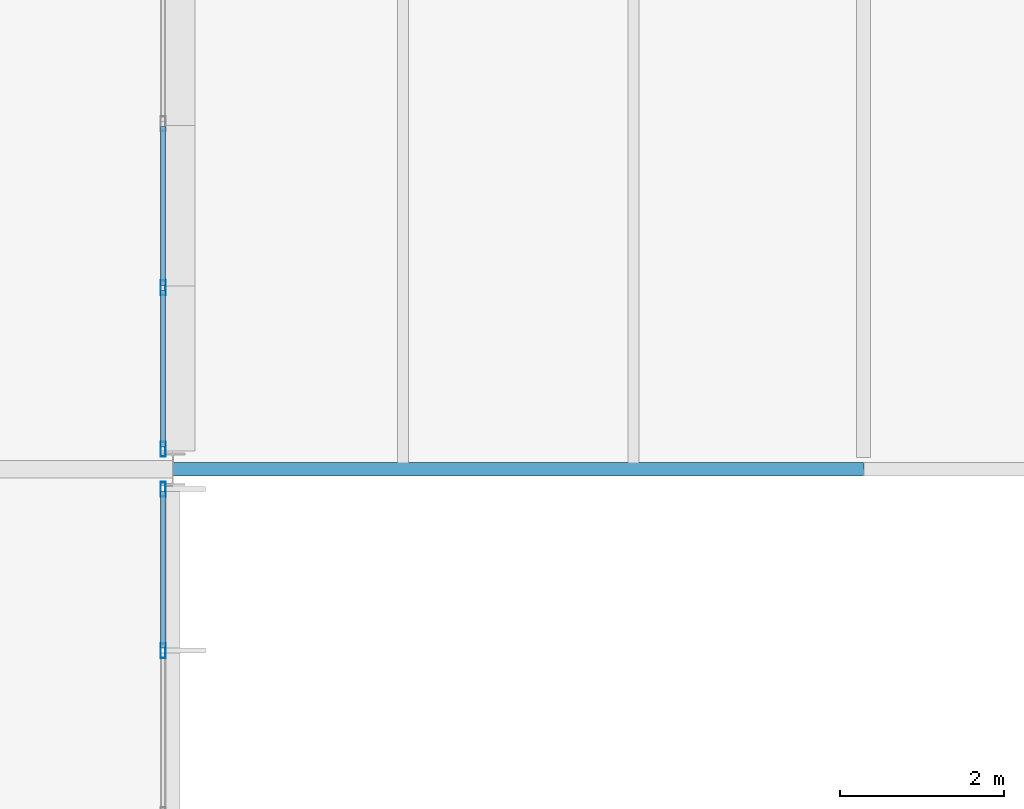
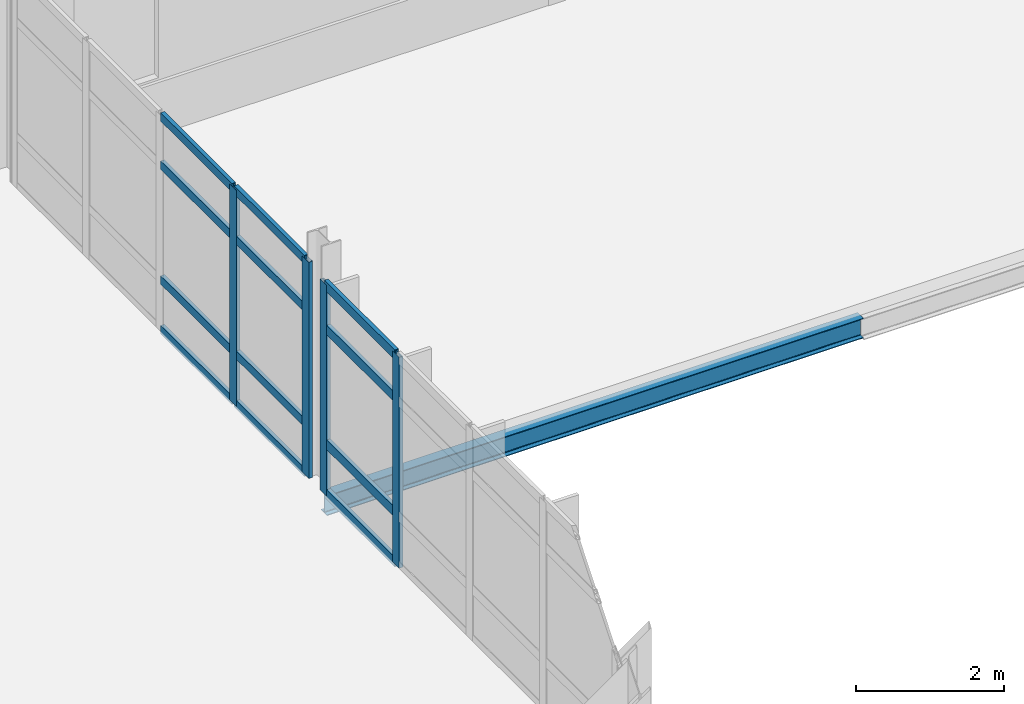
# One storey, part 40 of 151: 16 members, 1 beam, 2 elements without a shape of their own.
"""IFC4 building model written with IfcOpenShell, lengths in metres."""

import ifcopenshell
import ifcopenshell.guid

model = None  # the IFC model being written
_history = None  # IfcOwnerHistory: only IFC2X3 demands one
_inside = {}  # id of a spatial element -> (the spatial element, [elements in it])
_under = {}  # id of a project, library or spatial element -> (it, [spatial elements below it])
_declared = {}  # id of a project -> (the project, [libraries it declares])
_typed = {}  # id of a type object -> (the type object, [elements of that type])
_made_of = {}  # id of a material, layer set ... -> (it, [elements and type objects made of it])


def new_model(schema):
    """Start an empty IFC model of exactly this schema.

    Asked for "IFC4X3", IfcOpenShell would pick the latest addendum, in which some entities
    have other attributes; the version numbers below select the first issue.
    IFC2X3 requires an IfcOwnerHistory on every rooted entity: one is made here for all.
    """
    global model, _history
    if schema == "IFC4X3":
        model = ifcopenshell.file(schema_version=(4, 3, 0, 0))
    else:
        model = ifcopenshell.file(schema=schema)
    _inside.clear()
    _under.clear()
    _declared.clear()
    _typed.clear()
    _made_of.clear()
    _history = None
    if model.schema == "IFC2X3":
        org = make("IfcOrganization", Name="unknown")
        user = make(
            "IfcPersonAndOrganization",
            ThePerson=make("IfcPerson", FamilyName="unknown"),
            TheOrganization=org,
        )
        app = make(
            "IfcApplication",
            ApplicationDeveloper=org,
            Version="unknown",
            ApplicationFullName="unknown",
            ApplicationIdentifier="unknown",
        )
        _history = make(
            "IfcOwnerHistory",
            OwningUser=user,
            OwningApplication=app,
            ChangeAction="ADDED",
            CreationDate=0,
        )
    return model


def make(cls, **values):
    """One entity of the class cls with the attributes given. An attribute that is None is left unset."""
    return model.create_entity(
        cls, **{name: value for name, value in values.items() if value is not None}
    )


def rooted(cls, **values):
    """An entity with a GlobalId (a new one), such as an element, a storey or a relation."""
    return make(cls, GlobalId=ifcopenshell.guid.new(), OwnerHistory=_history, **values)


def si_unit(unit_type, name, prefix=None):
    """IfcSIUnit, for example si_unit("LENGTHUNIT", "METRE", prefix="MILLI")."""
    return make("IfcSIUnit", UnitType=unit_type, Prefix=prefix, Name=name)


def assignment(units):
    """IfcUnitAssignment: the units of a project."""
    return None if units is None else make("IfcUnitAssignment", Units=units)


def point(xyz):
    """IfcCartesianPoint."""
    return None if xyz is None else make("IfcCartesianPoint", Coordinates=xyz)


def direction(xyz):
    """IfcDirection."""
    return None if xyz is None else make("IfcDirection", DirectionRatios=xyz)


def frame(location, z_axis=None, x_axis=None):
    """IfcAxis2Placement3D, a coordinate frame: its origin and axes. An axis left out is left unset."""
    return make(
        "IfcAxis2Placement3D",
        Location=point(location),
        Axis=direction(z_axis),
        RefDirection=direction(x_axis),
    )


def frame_2d(location, x_axis=None):
    """IfcAxis2Placement2D, a coordinate frame in the plane: its origin and x axis."""
    return make(
        "IfcAxis2Placement2D", Location=point(location), RefDirection=direction(x_axis)
    )


def origin():
    """The frame at (0, 0, 0) with its axes left unset."""
    return frame((0.0, 0.0, 0.0))


def origin_2d():
    """The frame at (0, 0) in the plane with its x axis left unset."""
    return frame_2d((0.0, 0.0))


def place(relative_to, where):
    """IfcLocalPlacement: puts the frame where relative to a parent placement (None: the world)."""
    return make(
        "IfcLocalPlacement", PlacementRelTo=relative_to, RelativePlacement=where
    )


def context(
    kind, dimensions, precision=None, world=None, true_north=None, identifier=None
):
    """IfcGeometricRepresentationContext, for example the 3D "Model" context."""
    return make(
        "IfcGeometricRepresentationContext",
        ContextIdentifier=identifier,
        ContextType=kind,
        CoordinateSpaceDimension=dimensions,
        Precision=precision,
        WorldCoordinateSystem=world,
        TrueNorth=true_north,
    )


def subcontext(parent, identifier, kind, view, scale=None):
    """IfcGeometricRepresentationSubContext, for example "Body" below "Model"."""
    return make(
        "IfcGeometricRepresentationSubContext",
        ContextIdentifier=identifier,
        ContextType=kind,
        ParentContext=parent,
        TargetScale=scale,
        TargetView=view,
    )


def project(units=None, contexts=None):
    """IfcProject with its units and contexts."""
    return rooted(
        "IfcProject",
        Name="project",
        RepresentationContexts=contexts,
        UnitsInContext=assignment(units),
    )


def spatial(cls, under=None, at=None, **own):
    """A site, building, storey or space (cls), placed at a placement, below another one or the project."""
    s = rooted(cls, ObjectPlacement=at, **own)
    if under is not None:
        _under.setdefault(under.id(), (under, []))[1].append(s)
    return s


def profile(cls, at=None, kind="AREA", **sizes):
    """A parametric profile (cls). Its sizes go by their IFC names, for example OverallWidth=200.0."""
    return make(cls, ProfileType=kind, Position=at, **sizes)


def hollow_rectangle(**sizes):
    """IfcRectangleHollowProfileDef."""
    return profile("IfcRectangleHollowProfileDef", **sizes)


def i_section(**sizes):
    """IfcIShapeProfileDef."""
    return profile("IfcIShapeProfileDef", **sizes)


def extrude(swept, where, along, depth):
    """IfcExtrudedAreaSolid: the profile swept, set in the frame where, extruded along a direction by depth."""
    return make(
        "IfcExtrudedAreaSolid",
        SweptArea=swept,
        Position=where,
        ExtrudedDirection=direction(along),
        Depth=depth,
    )


def shape(context_of_items, identifier, shape_type, items):
    """IfcShapeRepresentation: the items that make up one representation, for example the "Body"."""
    return make(
        "IfcShapeRepresentation",
        ContextOfItems=context_of_items,
        RepresentationIdentifier=identifier,
        RepresentationType=shape_type,
        Items=items,
    )


def material(Name=None, Category=None):
    """IfcMaterial."""
    return make("IfcMaterial", Name=Name, Category=Category)


def material_profile(
    of_material, cross_section, Name=None, Category=None, Priority=None
):
    """IfcMaterialProfile: a cross section and its material."""
    return make(
        "IfcMaterialProfile",
        Name=Name,
        Material=of_material,
        Profile=cross_section,
        Priority=Priority,
        Category=Category,
    )


def profile_set(profiles, Name=None, composite=None):
    """IfcMaterialProfileSet."""
    return make(
        "IfcMaterialProfileSet",
        Name=Name,
        MaterialProfiles=profiles,
        CompositeProfile=composite,
    )


def made_of(thing, what):
    """Note that an element or type object is made of a material, layer set ...; save() writes the relation."""
    if what is not None:
        _made_of.setdefault(what.id(), (what, []))[1].append(thing)
    return thing


def type_object(cls, material=None, **own):
    """A type object (cls), such as IfcWallType, which elements share."""
    return made_of(rooted(cls, **own), material)


def element(
    cls,
    number,
    at=None,
    inside=None,
    cuts=None,
    type_object=None,
    material=None,
    context=None,
    identifier="Body",
    shape_type=None,
    held_by="IfcProductDefinitionShape",
    body=None,
    shapes=None,
    **own,
):
    """One element of the class cls, such as IfcWall. Its Tag is "e" and its number.

    at: its placement. inside: the storey or other place that contains it. cuts: it is an
    opening in that element (IfcRelVoidsElement). A single representation is given by context,
    identifier, shape_type and body (its items); several are given by shapes. held_by: the class
    of the entity that holds the representations. save() writes the other relations.
    """
    e = rooted(cls, Tag="e%d" % number, ObjectPlacement=at, **own)
    if body is not None:
        shapes = [shape(context, identifier, shape_type, body)]
    if shapes is not None:
        e.Representation = make(held_by, Representations=shapes)
    if inside is not None:
        _inside.setdefault(inside.id(), (inside, []))[1].append(e)
    if cuts is not None:
        rooted(
            "IfcRelVoidsElement", RelatingBuildingElement=cuts, RelatedOpeningElement=e
        )
    if type_object is not None:
        _typed.setdefault(type_object.id(), (type_object, []))[1].append(e)
    return made_of(e, material)


def aggregate(whole, parts):
    """IfcRelAggregates: a whole, such as a stair, and the parts it consists of."""
    return rooted("IfcRelAggregates", RelatingObject=whole, RelatedObjects=parts)


def save(model, path):
    """Write the relations noted so far, then the file.

    IfcRelAggregates (storeys below a building ...), IfcRelContainedInSpatialStructure (elements
    in a storey), IfcRelDefinesByType, IfcRelAssociatesMaterial and IfcRelDeclares: one each for
    every whole, place, type object, material and project.
    """
    for whole, parts in _under.values():
        aggregate(whole, parts)
    for where, things in _inside.values():
        rooted(
            "IfcRelContainedInSpatialStructure",
            RelatedElements=things,
            RelatingStructure=where,
        )
    for kind, things in _typed.values():
        rooted("IfcRelDefinesByType", RelatedObjects=things, RelatingType=kind)
    for what, things in _made_of.values():
        rooted("IfcRelAssociatesMaterial", RelatedObjects=things, RelatingMaterial=what)
    for by, libraries in _declared.values():
        rooted("IfcRelDeclares", RelatingContext=by, RelatedDefinitions=libraries)
    model.write(path)


model = new_model("IFC4")

# Units and contexts
model_context = context("Model", 3, precision=1e-05, world=origin(), true_north=direction((0.0, 1.0)))
body_context = subcontext(model_context, "Body", "Model", "MODEL_VIEW")
ifc_project = project(units=[si_unit("LENGTHUNIT", "METRE"), si_unit("AREAUNIT", "SQUARE_METRE"), si_unit("VOLUMEUNIT", "CUBIC_METRE"), si_unit("PLANEANGLEUNIT", "RADIAN"), si_unit("MASSUNIT", "GRAM", prefix="KILO")], contexts=[model_context])

# Site, building, storey
site_placement = place(None, origin())
site = spatial("IfcSite", under=ifc_project, at=site_placement, CompositionType="ELEMENT")
building_placement = place(site_placement, origin())
building = spatial("IfcBuilding", under=site, at=building_placement, Name="Mersafa Astral City Hall", CompositionType="ELEMENT")
storey_placement = place(building_placement, frame((0.0, 0.0, 9.89990234375)))
storey = spatial("IfcBuildingStorey", under=building, at=storey_placement, Name="L02", CompositionType="ELEMENT", Elevation=9.89990234375)

# Curtain wall, members
ifc_material_1 = material(Name="Anodised bronze aluminium framing", Category="aluminium")
curtain_wall_type_1 = type_object("IfcCurtainWallType", Name="ENV-CW-3", PredefinedType="USERDEFINED", material=ifc_material_1)
curtain_wall_1_placement = place(storey_placement, origin())
curtain_wall_1 = element("IfcCurtainWall", 1, at=curtain_wall_1_placement, inside=storey, type_object=curtain_wall_type_1, Name="L02 Unitised solar curtain wall 134", ObjectType="UNITISED CURTAIN WALL", PredefinedType="USERDEFINED")
ifc_material_profile_1 = material_profile(ifc_material_1, hollow_rectangle(XDim=0.06005859375, YDim=0.179931640625, WallThickness=0.00390625, at=origin_2d()), Name="RHS 60x180x4")
ifc_profile_set_1 = profile_set([ifc_material_profile_1], Name="Anodised bronze aluminium framing")
member_type_1 = type_object("IfcMemberType", Name="ENV-CW-MUL-1", PredefinedType="MULLION", material=ifc_profile_set_1)
member_1_placement = place(storey_placement, frame((25.080078125, 81.7939453125, -0.001953125), z_axis=(0.0, 0.0, 1.0), x_axis=(-1.0, 0.0, 0.0)))
member_1 = element("IfcMember", 2, at=member_1_placement, type_object=member_type_1, Name="CW-3 mullion 4", PredefinedType="MULLION", context=body_context, shape_type="SweptSolid", body=[
    extrude(hollow_rectangle(XDim=0.06005859375, YDim=0.179931640625, WallThickness=0.00390625, at=origin_2d()), origin(), (0.0, 0.0, 1.0), 3.489013671875),
])
member_2_placement = place(storey_placement, frame((25.080078125, 83.758056640625, -0.001953125), z_axis=(0.0, 0.0, 1.0), x_axis=(-1.0, 0.0, 0.0)))
member_2 = element("IfcMember", 3, at=member_2_placement, type_object=member_type_1, Name="CW-3 mullion 5", PredefinedType="MULLION", context=body_context, shape_type="SweptSolid", body=[
    extrude(hollow_rectangle(XDim=0.06005859375, YDim=0.179931640625, WallThickness=0.00390625, at=origin_2d()), origin(), (0.0, 0.0, 1.0), 3.489013671875),
])

curtain_wall_type_2 = type_object("IfcCurtainWallType", Name="ENV-CW-4", PredefinedType="USERDEFINED", material=ifc_material_1)
curtain_wall_2_placement = place(storey_placement, origin())
curtain_wall_2 = element("IfcCurtainWall", 4, at=curtain_wall_2_placement, inside=storey, type_object=curtain_wall_type_2, Name="L02 Unitised solar curtain wall 135", ObjectType="UNITISED CURTAIN WALL", PredefinedType="USERDEFINED")
member_3_placement = place(storey_placement, frame((25.080078125, 84.241943359375, -0.001953125), z_axis=(0.0, 0.0, 1.0), x_axis=(-1.0, 0.0, 0.0)))
member_3 = element("IfcMember", 5, at=member_3_placement, type_object=member_type_1, Name="CW-4 mullion 1", PredefinedType="MULLION", context=body_context, shape_type="SweptSolid", body=[
    extrude(hollow_rectangle(XDim=0.06005859375, YDim=0.179931640625, WallThickness=0.00390625, at=origin_2d()), origin(), (0.0, 0.0, 1.0), 3.5791015625),
])
member_4_placement = place(storey_placement, frame((25.080078125, 86.2060546875, -0.001953125), z_axis=(0.0, 0.0, 1.0), x_axis=(-1.0, 0.0, 0.0)))
member_4 = element("IfcMember", 6, at=member_4_placement, type_object=member_type_1, Name="CW-4 mullion 2", PredefinedType="MULLION", context=body_context, shape_type="SweptSolid", body=[
    extrude(hollow_rectangle(XDim=0.06005859375, YDim=0.179931640625, WallThickness=0.00390625, at=origin_2d()), origin(), (0.0, 0.0, 1.0), 3.5791015625),
])
ifc_material_profile_2 = material_profile(ifc_material_1, hollow_rectangle(XDim=0.06005859375, YDim=0.139892578125, WallThickness=0.00390625, at=origin_2d()), Name="RHS 60x140x4")
ifc_profile_set_2 = profile_set([ifc_material_profile_2], Name="Anodised bronze aluminium framing")
member_type_2 = type_object("IfcMemberType", Name="ENV-CW-TRN-1", PredefinedType="USERDEFINED", material=ifc_profile_set_2)
member_5_placement = place(storey_placement, frame((25.080078125, 84.27197265625, 0.028076171875), z_axis=(0.0, 1.0, 0.0), x_axis=(-1.0, 0.0, 0.0)))
member_5 = element("IfcMember", 7, at=member_5_placement, type_object=member_type_2, Name="CW-4 transom 1.1", ObjectType="TRANSOM", PredefinedType="USERDEFINED", context=body_context, shape_type="SweptSolid", body=[
    extrude(hollow_rectangle(XDim=0.06005859375, YDim=0.139892578125, WallThickness=0.00390625, at=origin_2d()), origin(), (0.0, 0.0, 1.0), 1.904052734375),
])
member_6_placement = place(storey_placement, frame((25.080078125, 84.27197265625, 0.85009765625), z_axis=(0.0, 1.0, 0.0), x_axis=(-1.0, 0.0, 0.0)))
member_6 = element("IfcMember", 8, at=member_6_placement, type_object=member_type_2, Name="CW-4 transom 1.2", ObjectType="TRANSOM", PredefinedType="USERDEFINED", context=body_context, shape_type="SweptSolid", body=[
    extrude(hollow_rectangle(XDim=0.06005859375, YDim=0.139892578125, WallThickness=0.00390625, at=origin_2d()), origin(), (0.0, 0.0, 1.0), 1.904052734375),
])
member_7_placement = place(storey_placement, frame((25.080078125, 84.27197265625, 2.75), z_axis=(0.0, 1.0, 0.0), x_axis=(-1.0, 0.0, 0.0)))
member_7 = element("IfcMember", 9, at=member_7_placement, type_object=member_type_2, Name="CW-4 transom 1.3", ObjectType="TRANSOM", PredefinedType="USERDEFINED", context=body_context, shape_type="SweptSolid", body=[
    extrude(hollow_rectangle(XDim=0.06005859375, YDim=0.139892578125, WallThickness=0.00390625, at=origin_2d()), origin(), (0.0, 0.0, 1.0), 1.904052734375),
])
member_8_placement = place(storey_placement, frame((25.080078125, 84.27197265625, 3.547119140625), z_axis=(0.0, 1.0, 0.0), x_axis=(-1.0, 0.0, 0.0)))
member_8 = element("IfcMember", 10, at=member_8_placement, type_object=member_type_2, Name="CW-4 transom 1.4", ObjectType="TRANSOM", PredefinedType="USERDEFINED", context=body_context, shape_type="SweptSolid", body=[
    extrude(hollow_rectangle(XDim=0.06005859375, YDim=0.139892578125, WallThickness=0.00390625, at=origin_2d()), origin(), (0.0, 0.0, 1.0), 1.904052734375),
])
member_9_placement = place(storey_placement, frame((25.080078125, 86.236083984375, 0.028076171875), z_axis=(0.0, 1.0, 0.0), x_axis=(-1.0, 0.0, 0.0)))
member_9 = element("IfcMember", 11, at=member_9_placement, type_object=member_type_2, Name="CW-4 transom 2.1", ObjectType="TRANSOM", PredefinedType="USERDEFINED", context=body_context, shape_type="SweptSolid", body=[
    extrude(hollow_rectangle(XDim=0.06005859375, YDim=0.139892578125, WallThickness=0.00390625, at=origin_2d()), origin(), (0.0, 0.0, 1.0), 1.933837890625),
])
member_10_placement = place(storey_placement, frame((25.080078125, 86.236083984375, 0.85009765625), z_axis=(0.0, 1.0, 0.0), x_axis=(-1.0, 0.0, 0.0)))
member_10 = element("IfcMember", 12, at=member_10_placement, type_object=member_type_2, Name="CW-4 transom 2.2", ObjectType="TRANSOM", PredefinedType="USERDEFINED", context=body_context, shape_type="SweptSolid", body=[
    extrude(hollow_rectangle(XDim=0.06005859375, YDim=0.139892578125, WallThickness=0.00390625, at=origin_2d()), origin(), (0.0, 0.0, 1.0), 1.933837890625),
])
member_11_placement = place(storey_placement, frame((25.080078125, 86.236083984375, 2.75), z_axis=(0.0, 1.0, 0.0), x_axis=(-1.0, 0.0, 0.0)))
member_11 = element("IfcMember", 13, at=member_11_placement, type_object=member_type_2, Name="CW-4 transom 2.3", ObjectType="TRANSOM", PredefinedType="USERDEFINED", context=body_context, shape_type="SweptSolid", body=[
    extrude(hollow_rectangle(XDim=0.06005859375, YDim=0.139892578125, WallThickness=0.00390625, at=origin_2d()), origin(), (0.0, 0.0, 1.0), 1.933837890625),
])
member_12_placement = place(storey_placement, frame((25.080078125, 86.236083984375, 3.547119140625), z_axis=(0.0, 1.0, 0.0), x_axis=(-1.0, 0.0, 0.0)))
member_12 = element("IfcMember", 14, at=member_12_placement, type_object=member_type_2, Name="CW-4 transom 2.4", ObjectType="TRANSOM", PredefinedType="USERDEFINED", context=body_context, shape_type="SweptSolid", body=[
    extrude(hollow_rectangle(XDim=0.06005859375, YDim=0.139892578125, WallThickness=0.00390625, at=origin_2d()), origin(), (0.0, 0.0, 1.0), 1.933837890625),
])
aggregate(curtain_wall_2, [member_3, member_4, member_5, member_6, member_7, member_8, member_9, member_10, member_11, member_12])

# Member
ifc_material_profile_3 = material_profile(ifc_material_1, hollow_rectangle(XDim=0.06005859375, YDim=0.159912109375, WallThickness=0.00390625, at=origin_2d()), Name="RHS 60x160x4")
ifc_profile_set_3 = profile_set([ifc_material_profile_3], Name="Anodised bronze aluminium framing")
member_type_3 = type_object("IfcMemberType", Name="ENV-CW-TRN-2", PredefinedType="USERDEFINED", material=ifc_profile_set_3)
member_13_placement = place(storey_placement, frame((25.080078125, 81.823974609375, 0.028076171875), z_axis=(0.0, 1.0, 0.0), x_axis=(-1.0, 0.0, 0.0)))
member_13 = element("IfcMember", 15, at=member_13_placement, type_object=member_type_3, Name="CW-3 transom 4.1", ObjectType="TRANSOM", PredefinedType="USERDEFINED", context=body_context, shape_type="SweptSolid", body=[
    extrude(hollow_rectangle(XDim=0.06005859375, YDim=0.159912109375, WallThickness=0.00390625, at=origin_2d()), origin(), (0.0, 0.0, 1.0), 1.904052734375),
])

member_14_placement = place(storey_placement, frame((25.080078125, 81.823974609375, 0.85009765625), z_axis=(0.0, 1.0, 0.0), x_axis=(-1.0, 0.0, 0.0)))
member_14 = element("IfcMember", 16, at=member_14_placement, type_object=member_type_3, Name="CW-3 transom 4.2", ObjectType="TRANSOM", PredefinedType="USERDEFINED", context=body_context, shape_type="SweptSolid", body=[
    extrude(hollow_rectangle(XDim=0.06005859375, YDim=0.159912109375, WallThickness=0.00390625, at=origin_2d()), origin(), (0.0, 0.0, 1.0), 1.904052734375),
])

member_15_placement = place(storey_placement, frame((25.080078125, 81.823974609375, 2.75), z_axis=(0.0, 1.0, 0.0), x_axis=(-1.0, 0.0, 0.0)))
member_15 = element("IfcMember", 17, at=member_15_placement, type_object=member_type_3, Name="CW-3 transom 4.3", ObjectType="TRANSOM", PredefinedType="USERDEFINED", context=body_context, shape_type="SweptSolid", body=[
    extrude(hollow_rectangle(XDim=0.06005859375, YDim=0.159912109375, WallThickness=0.00390625, at=origin_2d()), origin(), (0.0, 0.0, 1.0), 1.904052734375),
])

member_16_placement = place(storey_placement, frame((25.080078125, 81.823974609375, 3.45703125), z_axis=(0.0, 1.0, 0.0), x_axis=(-1.0, 0.0, 0.0)))
member_16 = element("IfcMember", 18, at=member_16_placement, type_object=member_type_3, Name="CW-3 transom 4.4", ObjectType="TRANSOM", PredefinedType="USERDEFINED", context=body_context, shape_type="SweptSolid", body=[
    extrude(hollow_rectangle(XDim=0.06005859375, YDim=0.159912109375, WallThickness=0.00390625, at=origin_2d()), origin(), (0.0, 0.0, 1.0), 1.904052734375),
])

aggregate(curtain_wall_1, [member_1, member_2, member_13, member_14, member_15, member_16])

# Beam
ifc_material_2 = material(Name="Steel S355", Category="steel")
ifc_material_profile_4 = material_profile(ifc_material_2, i_section(OverallWidth=0.159912109375, OverallDepth=0.330078125, WebThickness=0.007568359375, FlangeThickness=0.011474609375, FilletRadius=0.01806640625, at=origin_2d()), Name="IPE 330")
ifc_profile_set_4 = profile_set([ifc_material_profile_4], Name="Steel S355")
beam_type = type_object("IfcBeamType", Name="STR-BM-SPANDREL-IPE330", PredefinedType="SPANDREL", material=ifc_profile_set_4)
beam_placement = place(storey_placement, frame((25.202880859375, 84.0, -0.364990234375), z_axis=(1.0, 0.0, 0.0), x_axis=(0.0, 1.0, 0.0)))
element("IfcBeam", 19, at=beam_placement, inside=storey, type_object=beam_type, Name="L02 Primary girder X 3-10", PredefinedType="SPANDREL", context=body_context, shape_type="SweptSolid", body=[
    extrude(i_section(OverallWidth=0.159912109375, OverallDepth=0.330078125, WebThickness=0.007568359375, FlangeThickness=0.011474609375, FilletRadius=0.01806640625, at=origin_2d()), origin(), (0.0, 0.0, 1.0), 8.39404296875),
])

save(model, "model.ifc")
